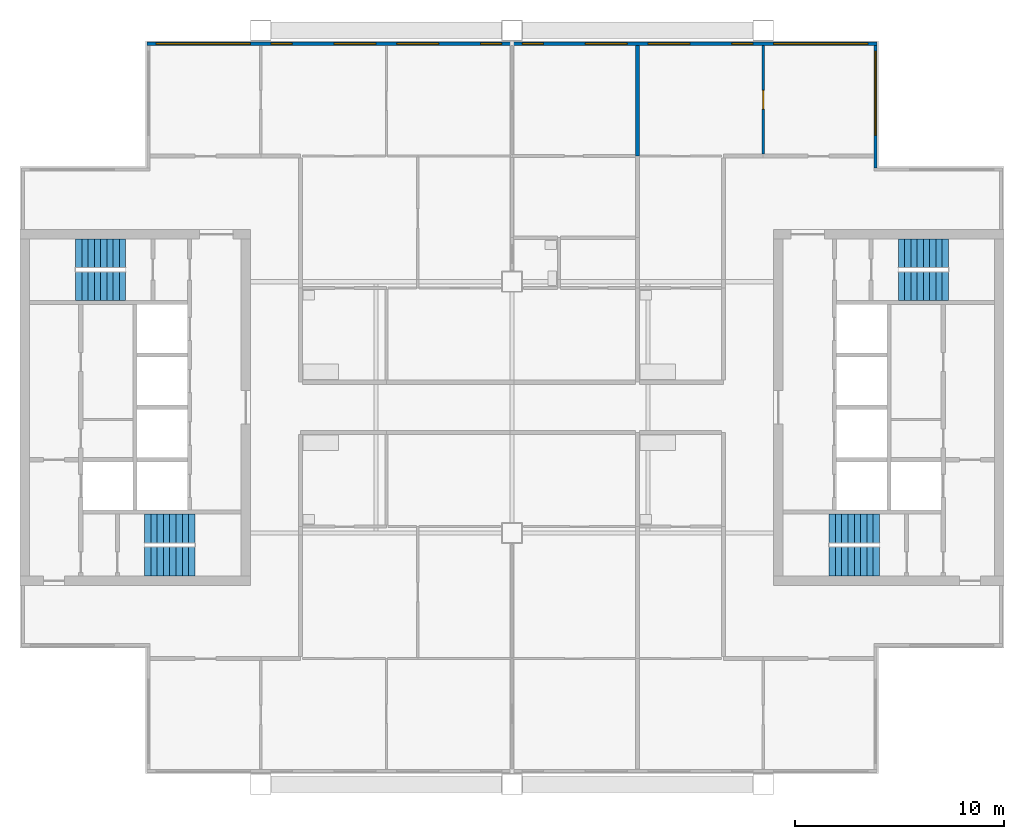
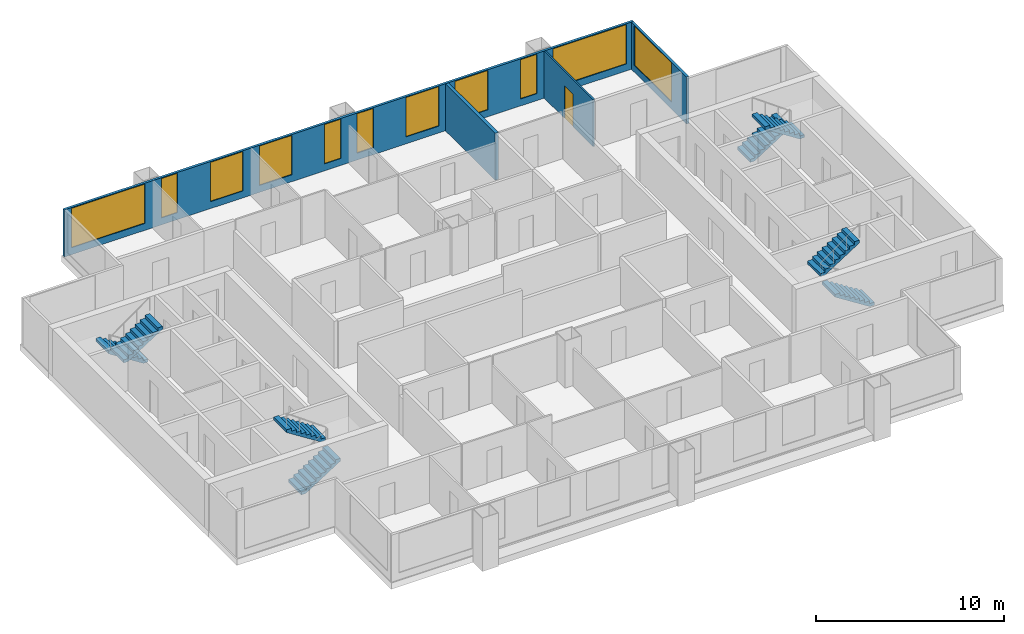
# One storey, part 6 of 8: 11 windows, 8 stair flights, 4 walls, 1 door, 12 openings, 4 elements without a shape of their own.
"""IFC4 building model written with IfcOpenShell, lengths in metres."""

from ifc_helpers import new_model, si_unit, direction, frame, frame_2d, origin, place, context, subcontext, project, spatial, polyline, rectangle, outline, extrude, material, layer, layer_set, type_object, element, fill, aggregate, save


model = new_model("IFC4")

# Units and contexts
model_context = context("Model", 3, precision=1e-05, world=origin(), true_north=direction((0.0, 1.0)))
body_context = subcontext(model_context, "Body", "Model", "MODEL_VIEW")
ifc_project = project(units=[si_unit("LENGTHUNIT", "METRE"), si_unit("AREAUNIT", "SQUARE_METRE"), si_unit("VOLUMEUNIT", "CUBIC_METRE"), si_unit("PLANEANGLEUNIT", "RADIAN"), si_unit("MASSUNIT", "GRAM", prefix="KILO")], contexts=[model_context])

# Site, building, storey
site_placement = place(None, origin())
site = spatial("IfcSite", under=ifc_project, at=site_placement, CompositionType="ELEMENT")
building_placement = place(site_placement, origin())
building = spatial("IfcBuilding", under=site, at=building_placement, Name="Kitamizu Gate Tower and Museum", CompositionType="ELEMENT")
storey_placement = place(building_placement, frame((0.0, 0.0, 262.800048828125)))
storey = spatial("IfcBuildingStorey", under=building, at=storey_placement, Name="L71", CompositionType="ELEMENT", Elevation=262.800048828125)

# Wall, opening, door
ifc_material_1 = material(Name="Gypsum board on galvanised stud")
ifc_layer_1 = layer(ifc_material_1, 0.10009765625)
ifc_layer_set_1 = layer_set([ifc_layer_1], Name="Gypsum board on galvanised stud")
wall_type_1 = type_object("IfcWallType", Name="Partition 100 NOT RATED", PredefinedType="PARTITIONING", material=ifc_layer_set_1)
wall_1_placement = place(storey_placement, frame((48.0, 42.10009765625, 0.0), z_axis=(0.0, 0.0, 1.0), x_axis=(0.0, 1.0, 0.0)))
wall_1 = element("IfcWall", 1, at=wall_1_placement, inside=storey, type_object=wall_type_1, Name="Partition L71-067", PredefinedType="PARTITIONING", context=body_context, shape_type="SweptSolid", body=[
    extrude(rectangle(XDim=5.179931640625, YDim=0.10009765625, at=frame_2d((2.58984375, 0.0))), origin(), (0.0, 0.0, 1.0), 3.050048828125),
])
opening_1_placement = place(wall_1_placement, frame((2.139892578125, 0.0, 0.0)))
opening_1 = element("IfcOpeningElement", 2, at=opening_1_placement, cuts=wall_1, Name="Opening L71-026", PredefinedType="OPENING", context=body_context, shape_type="SweptSolid", body=[
    extrude(rectangle(XDim=0.89990234375, YDim=2.10009765625, at=frame_2d((0.449951171875, 1.050048828125))), frame((0.0, 0.06005859375, 0.0), z_axis=(0.0, -1.0, 0.0), x_axis=(1.0, 0.0, 0.0)), (0.0, 0.0, 1.0), 0.1201171875),
])
ifc_material_2 = material(Name="Timber door set", Category="wood")
door_type = type_object("IfcDoorType", Name="Room door 900", OperationType="NOTDEFINED", PredefinedType="DOOR", material=ifc_material_2)
door_placement = place(opening_1_placement, origin())
door = element("IfcDoor", 3, at=door_placement, inside=storey, type_object=door_type, Name="Door L71-026", OperationType="SINGLE_SWING_LEFT", OverallHeight=2.10009765625, OverallWidth=0.89990234375, PredefinedType="DOOR", context=body_context, shape_type="SweptSolid", body=[
    extrude(rectangle(XDim=0.89990234375, YDim=2.10009765625, at=frame_2d((0.449951171875, 1.050048828125))), frame((0.0, 0.02490234375, 0.0), z_axis=(0.0, -1.0, 0.0), x_axis=(1.0, 0.0, 0.0)), (0.0, 0.0, 1.0), 0.050048828125),
])
fill(opening_1, door)

# Wall
ifc_material_3 = material(Name="Gypsum board on galvanised stud")
ifc_layer_2 = layer(ifc_material_3, 0.199951171875)
ifc_layer_set_2 = layer_set([ifc_layer_2], Name="Gypsum board on galvanised stud")
wall_type_2 = type_object("IfcWallType", Name="Partition 200", PredefinedType="PARTITIONING", material=ifc_layer_set_2)
wall_2_placement = place(storey_placement, frame((42.0, 42.0, 0.0), z_axis=(0.0, 0.0, 1.0), x_axis=(0.0, 1.0, 0.0)))
element("IfcWall", 4, at=wall_2_placement, inside=storey, type_object=wall_type_2, Name="Partition L71-035", PredefinedType="PARTITIONING", context=body_context, shape_type="SweptSolid", body=[
    extrude(rectangle(XDim=5.280029296875, YDim=0.199951171875, at=frame_2d((2.64013671875, 0.0))), origin(), (0.0, 0.0, 1.0), 3.050048828125),
])

# Wall, opening, window
ifc_material_4 = material(Name="Bronze anodised aluminium frame with insulated spandrel and tinted glass", Category="aluminium")
ifc_layer_3 = layer(ifc_material_4, 0.14990234375)
ifc_layer_set_3 = layer_set([ifc_layer_3], Name="Bronze anodised aluminium frame with insulated spandrel and tinted glass")
wall_type_3 = type_object("IfcWallType", Name="WINDOW WALL 150 BRONZE FRAME EI 30", PredefinedType="ELEMENTEDWALL", material=ifc_layer_set_3)
wall_3_placement = place(storey_placement, frame((53.364990234375, 41.43994140625, 0.0), z_axis=(0.0, 0.0, 1.0), x_axis=(0.0, 1.0, 0.0)))
wall_3 = element("IfcWall", 5, at=wall_3_placement, inside=storey, type_object=wall_type_3, Name="Window wall east L71", PredefinedType="ELEMENTEDWALL", context=body_context, shape_type="SweptSolid", body=[
    extrude(rectangle(XDim=5.85009765625, YDim=0.14990234375, at=frame_2d((2.925048828125, 0.0))), origin(), (0.0, 0.0, 1.0), 3.050048828125),
])
opening_2_placement = place(wall_3_placement, frame((1.56005859375, 0.0, 0.449951171875)))
opening_2 = element("IfcOpeningElement", 6, at=opening_2_placement, cuts=wall_3, Name="Opening W16", PredefinedType="OPENING", context=body_context, shape_type="SweptSolid", body=[
    extrude(rectangle(XDim=4.0, YDim=2.550048828125, at=frame_2d((2.0, 1.27490234375))), frame((0.0, 0.0849609375, 0.0), z_axis=(0.0, -1.0, 0.0), x_axis=(1.0, 0.0, 0.0)), (0.0, 0.0, 1.0), 0.169921875),
])
ifc_material_5 = material(Name="Bronze anodised aluminium frame, tinted triple glazing", Category="aluminium")
window_type_1 = type_object("IfcWindowType", Name="WINDOW 4000 x 2550 SILL 450", PartitioningType="SINGLE_PANEL", PredefinedType="WINDOW", material=ifc_material_5)
window_1_placement = place(opening_2_placement, origin())
window_1 = element("IfcWindow", 7, at=window_1_placement, inside=storey, type_object=window_type_1, Name="Window W16 L71", OverallHeight=2.550048828125, OverallWidth=4.0, PartitioningType="SINGLE_PANEL", PredefinedType="WINDOW", context=body_context, shape_type="SweptSolid", body=[
    extrude(rectangle(XDim=4.0, YDim=2.550048828125, at=frame_2d((2.0, 1.27490234375))), frame((0.0, 0.030029296875, 0.0), z_axis=(0.0, -1.0, 0.0), x_axis=(1.0, 0.0, 0.0)), (0.0, 0.0, 1.0), 0.06005859375),
])
fill(opening_2, window_1)

# Wall, openings, windows
wall_4_placement = place(storey_placement, frame((18.56005859375, 47.364990234375, 0.0), z_axis=(0.0, 0.0, 1.0), x_axis=(1.0, 0.0, 0.0)))
wall_4 = element("IfcWall", 8, at=wall_4_placement, inside=storey, type_object=wall_type_3, Name="Window wall north L71", PredefinedType="ELEMENTEDWALL", context=body_context, shape_type="SweptSolid", body=[
    extrude(rectangle(XDim=34.8798828125, YDim=0.14990234375, at=frame_2d((17.43994140625, 0.0))), origin(), (0.0, 0.0, 1.0), 3.050048828125),
])
opening_3_placement = place(wall_4_placement, frame((0.43994140625, 0.0, 0.449951171875)))
opening_3 = element("IfcOpeningElement", 9, at=opening_3_placement, cuts=wall_4, Name="Opening W15", PredefinedType="OPENING", context=body_context, shape_type="SweptSolid", body=[
    extrude(rectangle(XDim=4.5, YDim=2.550048828125, at=frame_2d((2.25, 1.27490234375))), frame((0.0, 0.0849609375, 0.0), z_axis=(0.0, -1.0, 0.0), x_axis=(1.0, 0.0, 0.0)), (0.0, 0.0, 1.0), 0.169921875),
])
opening_4_placement = place(wall_4_placement, frame((5.93994140625, 0.0, 0.449951171875)))
opening_4 = element("IfcOpeningElement", 10, at=opening_4_placement, cuts=wall_4, Name="Opening W26", PredefinedType="OPENING", context=body_context, shape_type="SweptSolid", body=[
    extrude(rectangle(XDim=1.0, YDim=2.550048828125, at=frame_2d((0.5, 1.27490234375))), frame((0.0, 0.0849609375, 0.0), z_axis=(0.0, -1.0, 0.0), x_axis=(1.0, 0.0, 0.0)), (0.0, 0.0, 1.0), 0.169921875),
])
opening_5_placement = place(wall_4_placement, frame((8.93994140625, 0.0, 0.449951171875)))
opening_5 = element("IfcOpeningElement", 11, at=opening_5_placement, cuts=wall_4, Name="Opening W2", PredefinedType="OPENING", context=body_context, shape_type="SweptSolid", body=[
    extrude(rectangle(XDim=2.0, YDim=2.550048828125, at=frame_2d((1.0, 1.27490234375))), frame((0.0, 0.0849609375, 0.0), z_axis=(0.0, -1.0, 0.0), x_axis=(1.0, 0.0, 0.0)), (0.0, 0.0, 1.0), 0.169921875),
])
opening_6_placement = place(wall_4_placement, frame((11.93994140625, 0.0, 0.449951171875)))
opening_6 = element("IfcOpeningElement", 12, at=opening_6_placement, cuts=wall_4, Name="Opening W2", PredefinedType="OPENING", context=body_context, shape_type="SweptSolid", body=[
    extrude(rectangle(XDim=2.0, YDim=2.550048828125, at=frame_2d((1.0, 1.27490234375))), frame((0.0, 0.0849609375, 0.0), z_axis=(0.0, -1.0, 0.0), x_axis=(1.0, 0.0, 0.0)), (0.0, 0.0, 1.0), 0.169921875),
])
opening_7_placement = place(wall_4_placement, frame((15.93994140625, 0.0, 0.449951171875)))
opening_7 = element("IfcOpeningElement", 13, at=opening_7_placement, cuts=wall_4, Name="Opening W26", PredefinedType="OPENING", context=body_context, shape_type="SweptSolid", body=[
    extrude(rectangle(XDim=1.0, YDim=2.550048828125, at=frame_2d((0.5, 1.27490234375))), frame((0.0, 0.0849609375, 0.0), z_axis=(0.0, -1.0, 0.0), x_axis=(1.0, 0.0, 0.0)), (0.0, 0.0, 1.0), 0.169921875),
])
opening_8_placement = place(wall_4_placement, frame((17.93994140625, 0.0, 0.449951171875)))
opening_8 = element("IfcOpeningElement", 14, at=opening_8_placement, cuts=wall_4, Name="Opening W26", PredefinedType="OPENING", context=body_context, shape_type="SweptSolid", body=[
    extrude(rectangle(XDim=1.0, YDim=2.550048828125, at=frame_2d((0.5, 1.27490234375))), frame((0.0, 0.0849609375, 0.0), z_axis=(0.0, -1.0, 0.0), x_axis=(1.0, 0.0, 0.0)), (0.0, 0.0, 1.0), 0.169921875),
])
opening_9_placement = place(wall_4_placement, frame((20.93994140625, 0.0, 0.449951171875)))
opening_9 = element("IfcOpeningElement", 15, at=opening_9_placement, cuts=wall_4, Name="Opening W2", PredefinedType="OPENING", context=body_context, shape_type="SweptSolid", body=[
    extrude(rectangle(XDim=2.0, YDim=2.550048828125, at=frame_2d((1.0, 1.27490234375))), frame((0.0, 0.0849609375, 0.0), z_axis=(0.0, -1.0, 0.0), x_axis=(1.0, 0.0, 0.0)), (0.0, 0.0, 1.0), 0.169921875),
])
opening_10_placement = place(wall_4_placement, frame((23.93994140625, 0.0, 0.449951171875)))
opening_10 = element("IfcOpeningElement", 16, at=opening_10_placement, cuts=wall_4, Name="Opening W2", PredefinedType="OPENING", context=body_context, shape_type="SweptSolid", body=[
    extrude(rectangle(XDim=2.0, YDim=2.550048828125, at=frame_2d((1.0, 1.27490234375))), frame((0.0, 0.0849609375, 0.0), z_axis=(0.0, -1.0, 0.0), x_axis=(1.0, 0.0, 0.0)), (0.0, 0.0, 1.0), 0.169921875),
])
opening_11_placement = place(wall_4_placement, frame((27.93994140625, 0.0, 0.449951171875)))
opening_11 = element("IfcOpeningElement", 17, at=opening_11_placement, cuts=wall_4, Name="Opening W26", PredefinedType="OPENING", context=body_context, shape_type="SweptSolid", body=[
    extrude(rectangle(XDim=1.0, YDim=2.550048828125, at=frame_2d((0.5, 1.27490234375))), frame((0.0, 0.0849609375, 0.0), z_axis=(0.0, -1.0, 0.0), x_axis=(1.0, 0.0, 0.0)), (0.0, 0.0, 1.0), 0.169921875),
])
opening_12_placement = place(wall_4_placement, frame((29.93994140625, 0.0, 0.449951171875)))
opening_12 = element("IfcOpeningElement", 18, at=opening_12_placement, cuts=wall_4, Name="Opening W15", PredefinedType="OPENING", context=body_context, shape_type="SweptSolid", body=[
    extrude(rectangle(XDim=4.5, YDim=2.550048828125, at=frame_2d((2.25, 1.27490234375))), frame((0.0, 0.0849609375, 0.0), z_axis=(0.0, -1.0, 0.0), x_axis=(1.0, 0.0, 0.0)), (0.0, 0.0, 1.0), 0.169921875),
])
ifc_material_6 = material(Name="Bronze anodised aluminium frame, tinted triple glazing", Category="aluminium")
window_type_2 = type_object("IfcWindowType", Name="WINDOW 1000 x 2550 SILL 450", PartitioningType="SINGLE_PANEL", PredefinedType="WINDOW", material=ifc_material_6)
window_2_placement = place(opening_4_placement, origin())
window_2 = element("IfcWindow", 19, at=window_2_placement, inside=storey, type_object=window_type_2, Name="Window W26 L71", OverallHeight=2.550048828125, OverallWidth=1.0, PartitioningType="SINGLE_PANEL", PredefinedType="WINDOW", context=body_context, shape_type="SweptSolid", body=[
    extrude(rectangle(XDim=1.0, YDim=2.550048828125, at=frame_2d((0.5, 1.27490234375))), frame((0.0, 0.030029296875, 0.0), z_axis=(0.0, -1.0, 0.0), x_axis=(1.0, 0.0, 0.0)), (0.0, 0.0, 1.0), 0.06005859375),
])
fill(opening_4, window_2)
window_3_placement = place(opening_7_placement, origin())
window_3 = element("IfcWindow", 20, at=window_3_placement, inside=storey, type_object=window_type_2, Name="Window W26 L71", OverallHeight=2.550048828125, OverallWidth=1.0, PartitioningType="SINGLE_PANEL", PredefinedType="WINDOW", context=body_context, shape_type="SweptSolid", body=[
    extrude(rectangle(XDim=1.0, YDim=2.550048828125, at=frame_2d((0.5, 1.27490234375))), frame((0.0, 0.030029296875, 0.0), z_axis=(0.0, -1.0, 0.0), x_axis=(1.0, 0.0, 0.0)), (0.0, 0.0, 1.0), 0.06005859375),
])
fill(opening_7, window_3)
window_4_placement = place(opening_8_placement, origin())
window_4 = element("IfcWindow", 21, at=window_4_placement, inside=storey, type_object=window_type_2, Name="Window W26 L71", OverallHeight=2.550048828125, OverallWidth=1.0, PartitioningType="SINGLE_PANEL", PredefinedType="WINDOW", context=body_context, shape_type="SweptSolid", body=[
    extrude(rectangle(XDim=1.0, YDim=2.550048828125, at=frame_2d((0.5, 1.27490234375))), frame((0.0, 0.030029296875, 0.0), z_axis=(0.0, -1.0, 0.0), x_axis=(1.0, 0.0, 0.0)), (0.0, 0.0, 1.0), 0.06005859375),
])
fill(opening_8, window_4)
window_5_placement = place(opening_11_placement, origin())
window_5 = element("IfcWindow", 22, at=window_5_placement, inside=storey, type_object=window_type_2, Name="Window W26 L71", OverallHeight=2.550048828125, OverallWidth=1.0, PartitioningType="SINGLE_PANEL", PredefinedType="WINDOW", context=body_context, shape_type="SweptSolid", body=[
    extrude(rectangle(XDim=1.0, YDim=2.550048828125, at=frame_2d((0.5, 1.27490234375))), frame((0.0, 0.030029296875, 0.0), z_axis=(0.0, -1.0, 0.0), x_axis=(1.0, 0.0, 0.0)), (0.0, 0.0, 1.0), 0.06005859375),
])
fill(opening_11, window_5)
ifc_material_7 = material(Name="Bronze anodised aluminium frame, tinted triple glazing", Category="aluminium")
window_type_3 = type_object("IfcWindowType", Name="WINDOW 2000 x 2550 SILL 450", PartitioningType="SINGLE_PANEL", PredefinedType="WINDOW", material=ifc_material_7)
window_6_placement = place(opening_5_placement, origin())
window_6 = element("IfcWindow", 23, at=window_6_placement, inside=storey, type_object=window_type_3, Name="Window W2 L71", OverallHeight=2.550048828125, OverallWidth=2.0, PartitioningType="SINGLE_PANEL", PredefinedType="WINDOW", context=body_context, shape_type="SweptSolid", body=[
    extrude(rectangle(XDim=2.0, YDim=2.550048828125, at=frame_2d((1.0, 1.27490234375))), frame((0.0, 0.030029296875, 0.0), z_axis=(0.0, -1.0, 0.0), x_axis=(1.0, 0.0, 0.0)), (0.0, 0.0, 1.0), 0.06005859375),
])
fill(opening_5, window_6)
window_7_placement = place(opening_6_placement, origin())
window_7 = element("IfcWindow", 24, at=window_7_placement, inside=storey, type_object=window_type_3, Name="Window W2 L71", OverallHeight=2.550048828125, OverallWidth=2.0, PartitioningType="SINGLE_PANEL", PredefinedType="WINDOW", context=body_context, shape_type="SweptSolid", body=[
    extrude(rectangle(XDim=2.0, YDim=2.550048828125, at=frame_2d((1.0, 1.27490234375))), frame((0.0, 0.030029296875, 0.0), z_axis=(0.0, -1.0, 0.0), x_axis=(1.0, 0.0, 0.0)), (0.0, 0.0, 1.0), 0.06005859375),
])
fill(opening_6, window_7)
window_8_placement = place(opening_9_placement, origin())
window_8 = element("IfcWindow", 25, at=window_8_placement, inside=storey, type_object=window_type_3, Name="Window W2 L71", OverallHeight=2.550048828125, OverallWidth=2.0, PartitioningType="SINGLE_PANEL", PredefinedType="WINDOW", context=body_context, shape_type="SweptSolid", body=[
    extrude(rectangle(XDim=2.0, YDim=2.550048828125, at=frame_2d((1.0, 1.27490234375))), frame((0.0, 0.030029296875, 0.0), z_axis=(0.0, -1.0, 0.0), x_axis=(1.0, 0.0, 0.0)), (0.0, 0.0, 1.0), 0.06005859375),
])
fill(opening_9, window_8)
window_9_placement = place(opening_10_placement, origin())
window_9 = element("IfcWindow", 26, at=window_9_placement, inside=storey, type_object=window_type_3, Name="Window W2 L71", OverallHeight=2.550048828125, OverallWidth=2.0, PartitioningType="SINGLE_PANEL", PredefinedType="WINDOW", context=body_context, shape_type="SweptSolid", body=[
    extrude(rectangle(XDim=2.0, YDim=2.550048828125, at=frame_2d((1.0, 1.27490234375))), frame((0.0, 0.030029296875, 0.0), z_axis=(0.0, -1.0, 0.0), x_axis=(1.0, 0.0, 0.0)), (0.0, 0.0, 1.0), 0.06005859375),
])
fill(opening_10, window_9)
ifc_material_8 = material(Name="Bronze anodised aluminium frame, tinted triple glazing", Category="aluminium")
window_type_4 = type_object("IfcWindowType", Name="WINDOW 4500 x 2550 SILL 450", PartitioningType="SINGLE_PANEL", PredefinedType="WINDOW", material=ifc_material_8)
window_10_placement = place(opening_3_placement, origin())
window_10 = element("IfcWindow", 27, at=window_10_placement, inside=storey, type_object=window_type_4, Name="Window W15 L71", OverallHeight=2.550048828125, OverallWidth=4.5, PartitioningType="SINGLE_PANEL", PredefinedType="WINDOW", context=body_context, shape_type="SweptSolid", body=[
    extrude(rectangle(XDim=4.5, YDim=2.550048828125, at=frame_2d((2.25, 1.27490234375))), frame((0.0, 0.030029296875, 0.0), z_axis=(0.0, -1.0, 0.0), x_axis=(1.0, 0.0, 0.0)), (0.0, 0.0, 1.0), 0.06005859375),
])
fill(opening_3, window_10)
window_11_placement = place(opening_12_placement, origin())
window_11 = element("IfcWindow", 28, at=window_11_placement, inside=storey, type_object=window_type_4, Name="Window W15 L71", OverallHeight=2.550048828125, OverallWidth=4.5, PartitioningType="SINGLE_PANEL", PredefinedType="WINDOW", context=body_context, shape_type="SweptSolid", body=[
    extrude(rectangle(XDim=4.5, YDim=2.550048828125, at=frame_2d((2.25, 1.27490234375))), frame((0.0, 0.030029296875, 0.0), z_axis=(0.0, -1.0, 0.0), x_axis=(1.0, 0.0, 0.0)), (0.0, 0.0, 1.0), 0.06005859375),
])
fill(opening_12, window_11)

# Stair, stair flights
ifc_material_9 = material(Name="Concrete Fc42", Category="concrete")
stair_type = type_object("IfcStairType", Name="Exit stair 1375 wide 192 rise 300 going", PredefinedType="HALF_TURN_STAIR", material=ifc_material_9)
stair_1_placement = place(storey_placement, origin())
stair_1 = element("IfcStair", 29, at=stair_1_placement, inside=storey, type_object=stair_type, Name="Exit stair ST1", PredefinedType="HALF_TURN_STAIR")
ifc_material_10 = material(Name="Concrete Fc42", Category="concrete")
stair_flight_type = type_object("IfcStairFlightType", Name="Stair flight 1375 wide 192 rise 300 going", PredefinedType="STRAIGHT", material=ifc_material_10)
stair_flight_1_placement = place(storey_placement, frame((18.449951171875, 22.637451171875, 0.0), z_axis=(0.0, 0.0, 1.0), x_axis=(1.0, 0.0, 0.0)))
stair_flight_1 = element("IfcStairFlight", 30, at=stair_flight_1_placement, type_object=stair_flight_type, Name="ST1 flight 1", NumberOfRisers=9, NumberOfTreads=8, PredefinedType="STRAIGHT", RiserHeight=0.191666667, TreadLength=0.3, context=body_context, shape_type="SweptSolid", body=[
    extrude(outline(polyline([(0.0, 0.0), (0.0, 0.191650390625), (0.300048828125, 0.191650390625), (0.300048828125, 0.38330078125), (0.60009765625, 0.38330078125), (0.60009765625, 0.574951171875), (0.89990234375, 0.574951171875), (0.89990234375, 0.7666015625), (1.199951171875, 0.7666015625), (1.199951171875, 0.958251953125), (1.5, 0.958251953125), (1.5, 1.14990234375), (1.800048828125, 1.14990234375), (1.800048828125, 1.341552734375), (2.10009765625, 1.341552734375), (2.10009765625, 1.533447265625), (2.39990234375, 1.533447265625), (2.39990234375, 1.72509765625), (2.39990234375, 1.35546875), (0.2783203125, 0.0), (0.0, 0.0)])), frame((0.0, 0.6875, 0.0), z_axis=(0.0, -1.0, 0.0), x_axis=(1.0, 0.0, 0.0)), (0.0, 0.0, 1.0), 1.375),
])
stair_flight_2_placement = place(storey_placement, frame((20.85009765625, 24.21240234375, 1.724853515625), z_axis=(0.0, 0.0, 1.0), x_axis=(-1.0, 0.0, 0.0)))
stair_flight_2 = element("IfcStairFlight", 31, at=stair_flight_2_placement, type_object=stair_flight_type, Name="ST1 flight 2", NumberOfRisers=9, NumberOfTreads=8, PredefinedType="STRAIGHT", RiserHeight=0.191666667, TreadLength=0.3, context=body_context, shape_type="SweptSolid", body=[
    extrude(outline(polyline([(0.0, 0.0), (0.0, 0.191650390625), (0.300048828125, 0.191650390625), (0.300048828125, 0.38330078125), (0.60009765625, 0.38330078125), (0.60009765625, 0.574951171875), (0.89990234375, 0.574951171875), (0.89990234375, 0.7666015625), (1.199951171875, 0.7666015625), (1.199951171875, 0.958251953125), (1.5, 0.958251953125), (1.5, 1.14990234375), (1.800048828125, 1.14990234375), (1.800048828125, 1.341552734375), (2.10009765625, 1.341552734375), (2.10009765625, 1.533447265625), (2.39990234375, 1.533447265625), (2.39990234375, 1.72509765625), (2.39990234375, 1.35546875), (0.2783203125, 0.0), (0.0, 0.0)])), frame((0.0, 0.6875, 0.0), z_axis=(0.0, -1.0, 0.0), x_axis=(1.0, 0.0, 0.0)), (0.0, 0.0, 1.0), 1.375),
])
aggregate(stair_1, [stair_flight_1, stair_flight_2])

stair_2_placement = place(storey_placement, origin())
stair_2 = element("IfcStair", 32, at=stair_2_placement, inside=storey, type_object=stair_type, Name="Exit stair ST2", PredefinedType="HALF_TURN_STAIR")
stair_flight_3_placement = place(storey_placement, frame((17.550048828125, 37.362548828125, 0.0), z_axis=(0.0, 0.0, 1.0), x_axis=(-1.0, 0.0, 0.0)))
stair_flight_3 = element("IfcStairFlight", 33, at=stair_flight_3_placement, type_object=stair_flight_type, Name="ST2 flight 1", NumberOfRisers=9, NumberOfTreads=8, PredefinedType="STRAIGHT", RiserHeight=0.191666667, TreadLength=0.3, context=body_context, shape_type="SweptSolid", body=[
    extrude(outline(polyline([(0.0, 0.0), (0.0, 0.191650390625), (0.300048828125, 0.191650390625), (0.300048828125, 0.38330078125), (0.60009765625, 0.38330078125), (0.60009765625, 0.574951171875), (0.89990234375, 0.574951171875), (0.89990234375, 0.7666015625), (1.199951171875, 0.7666015625), (1.199951171875, 0.958251953125), (1.5, 0.958251953125), (1.5, 1.14990234375), (1.800048828125, 1.14990234375), (1.800048828125, 1.341552734375), (2.10009765625, 1.341552734375), (2.10009765625, 1.533447265625), (2.39990234375, 1.533447265625), (2.39990234375, 1.72509765625), (2.39990234375, 1.35546875), (0.2783203125, 0.0), (0.0, 0.0)])), frame((0.0, 0.6875, 0.0), z_axis=(0.0, -1.0, 0.0), x_axis=(1.0, 0.0, 0.0)), (0.0, 0.0, 1.0), 1.375),
])
stair_flight_4_placement = place(storey_placement, frame((15.14990234375, 35.78759765625, 1.724853515625), z_axis=(0.0, 0.0, 1.0), x_axis=(1.0, 0.0, 0.0)))
stair_flight_4 = element("IfcStairFlight", 34, at=stair_flight_4_placement, type_object=stair_flight_type, Name="ST2 flight 2", NumberOfRisers=9, NumberOfTreads=8, PredefinedType="STRAIGHT", RiserHeight=0.191666667, TreadLength=0.3, context=body_context, shape_type="SweptSolid", body=[
    extrude(outline(polyline([(0.0, 0.0), (0.0, 0.191650390625), (0.300048828125, 0.191650390625), (0.300048828125, 0.38330078125), (0.60009765625, 0.38330078125), (0.60009765625, 0.574951171875), (0.89990234375, 0.574951171875), (0.89990234375, 0.7666015625), (1.199951171875, 0.7666015625), (1.199951171875, 0.958251953125), (1.5, 0.958251953125), (1.5, 1.14990234375), (1.800048828125, 1.14990234375), (1.800048828125, 1.341552734375), (2.10009765625, 1.341552734375), (2.10009765625, 1.533447265625), (2.39990234375, 1.533447265625), (2.39990234375, 1.72509765625), (2.39990234375, 1.35546875), (0.2783203125, 0.0), (0.0, 0.0)])), frame((0.0, 0.6875, 0.0), z_axis=(0.0, -1.0, 0.0), x_axis=(1.0, 0.0, 0.0)), (0.0, 0.0, 1.0), 1.375),
])
aggregate(stair_2, [stair_flight_3, stair_flight_4])

stair_3_placement = place(storey_placement, origin())
stair_3 = element("IfcStair", 35, at=stair_3_placement, inside=storey, type_object=stair_type, Name="Exit stair ST3", PredefinedType="HALF_TURN_STAIR")
stair_flight_5_placement = place(storey_placement, frame((53.550048828125, 22.637451171875, 0.0), z_axis=(0.0, 0.0, 1.0), x_axis=(-1.0, 0.0, 0.0)))
stair_flight_5 = element("IfcStairFlight", 36, at=stair_flight_5_placement, type_object=stair_flight_type, Name="ST3 flight 1", NumberOfRisers=9, NumberOfTreads=8, PredefinedType="STRAIGHT", RiserHeight=0.191666667, TreadLength=0.3, context=body_context, shape_type="SweptSolid", body=[
    extrude(outline(polyline([(0.0, 0.0), (0.0, 0.191650390625), (0.300048828125, 0.191650390625), (0.300048828125, 0.38330078125), (0.60009765625, 0.38330078125), (0.60009765625, 0.574951171875), (0.89990234375, 0.574951171875), (0.89990234375, 0.7666015625), (1.199951171875, 0.7666015625), (1.199951171875, 0.958251953125), (1.5, 0.958251953125), (1.5, 1.14990234375), (1.800048828125, 1.14990234375), (1.800048828125, 1.341552734375), (2.10009765625, 1.341552734375), (2.10009765625, 1.533447265625), (2.39990234375, 1.533447265625), (2.39990234375, 1.72509765625), (2.39990234375, 1.35546875), (0.2783203125, 0.0), (0.0, 0.0)])), frame((0.0, 0.6875, 0.0), z_axis=(0.0, -1.0, 0.0), x_axis=(1.0, 0.0, 0.0)), (0.0, 0.0, 1.0), 1.375),
])
stair_flight_6_placement = place(storey_placement, frame((51.14990234375, 24.21240234375, 1.724853515625), z_axis=(0.0, 0.0, 1.0), x_axis=(1.0, 0.0, 0.0)))
stair_flight_6 = element("IfcStairFlight", 37, at=stair_flight_6_placement, type_object=stair_flight_type, Name="ST3 flight 2", NumberOfRisers=9, NumberOfTreads=8, PredefinedType="STRAIGHT", RiserHeight=0.191666667, TreadLength=0.3, context=body_context, shape_type="SweptSolid", body=[
    extrude(outline(polyline([(0.0, 0.0), (0.0, 0.191650390625), (0.300048828125, 0.191650390625), (0.300048828125, 0.38330078125), (0.60009765625, 0.38330078125), (0.60009765625, 0.574951171875), (0.89990234375, 0.574951171875), (0.89990234375, 0.7666015625), (1.199951171875, 0.7666015625), (1.199951171875, 0.958251953125), (1.5, 0.958251953125), (1.5, 1.14990234375), (1.800048828125, 1.14990234375), (1.800048828125, 1.341552734375), (2.10009765625, 1.341552734375), (2.10009765625, 1.533447265625), (2.39990234375, 1.533447265625), (2.39990234375, 1.72509765625), (2.39990234375, 1.35546875), (0.2783203125, 0.0), (0.0, 0.0)])), frame((0.0, 0.6875, 0.0), z_axis=(0.0, -1.0, 0.0), x_axis=(1.0, 0.0, 0.0)), (0.0, 0.0, 1.0), 1.375),
])
aggregate(stair_3, [stair_flight_5, stair_flight_6])

stair_4_placement = place(storey_placement, origin())
stair_4 = element("IfcStair", 38, at=stair_4_placement, inside=storey, type_object=stair_type, Name="Exit stair ST4", PredefinedType="HALF_TURN_STAIR")
stair_flight_7_placement = place(storey_placement, frame((54.449951171875, 37.362548828125, 0.0), z_axis=(0.0, 0.0, 1.0), x_axis=(1.0, 0.0, 0.0)))
stair_flight_7 = element("IfcStairFlight", 39, at=stair_flight_7_placement, type_object=stair_flight_type, Name="ST4 flight 1", NumberOfRisers=9, NumberOfTreads=8, PredefinedType="STRAIGHT", RiserHeight=0.191666667, TreadLength=0.3, context=body_context, shape_type="SweptSolid", body=[
    extrude(outline(polyline([(0.0, 0.0), (0.0, 0.191650390625), (0.300048828125, 0.191650390625), (0.300048828125, 0.38330078125), (0.60009765625, 0.38330078125), (0.60009765625, 0.574951171875), (0.89990234375, 0.574951171875), (0.89990234375, 0.7666015625), (1.199951171875, 0.7666015625), (1.199951171875, 0.958251953125), (1.5, 0.958251953125), (1.5, 1.14990234375), (1.800048828125, 1.14990234375), (1.800048828125, 1.341552734375), (2.10009765625, 1.341552734375), (2.10009765625, 1.533447265625), (2.39990234375, 1.533447265625), (2.39990234375, 1.72509765625), (2.39990234375, 1.35546875), (0.2783203125, 0.0), (0.0, 0.0)])), frame((0.0, 0.6875, 0.0), z_axis=(0.0, -1.0, 0.0), x_axis=(1.0, 0.0, 0.0)), (0.0, 0.0, 1.0), 1.375),
])
stair_flight_8_placement = place(storey_placement, frame((56.85009765625, 35.78759765625, 1.724853515625), z_axis=(0.0, 0.0, 1.0), x_axis=(-1.0, 0.0, 0.0)))
stair_flight_8 = element("IfcStairFlight", 40, at=stair_flight_8_placement, type_object=stair_flight_type, Name="ST4 flight 2", NumberOfRisers=9, NumberOfTreads=8, PredefinedType="STRAIGHT", RiserHeight=0.191666667, TreadLength=0.3, context=body_context, shape_type="SweptSolid", body=[
    extrude(outline(polyline([(0.0, 0.0), (0.0, 0.191650390625), (0.300048828125, 0.191650390625), (0.300048828125, 0.38330078125), (0.60009765625, 0.38330078125), (0.60009765625, 0.574951171875), (0.89990234375, 0.574951171875), (0.89990234375, 0.7666015625), (1.199951171875, 0.7666015625), (1.199951171875, 0.958251953125), (1.5, 0.958251953125), (1.5, 1.14990234375), (1.800048828125, 1.14990234375), (1.800048828125, 1.341552734375), (2.10009765625, 1.341552734375), (2.10009765625, 1.533447265625), (2.39990234375, 1.533447265625), (2.39990234375, 1.72509765625), (2.39990234375, 1.35546875), (0.2783203125, 0.0), (0.0, 0.0)])), frame((0.0, 0.6875, 0.0), z_axis=(0.0, -1.0, 0.0), x_axis=(1.0, 0.0, 0.0)), (0.0, 0.0, 1.0), 1.375),
])
aggregate(stair_4, [stair_flight_7, stair_flight_8])

save(model, "model.ifc")
